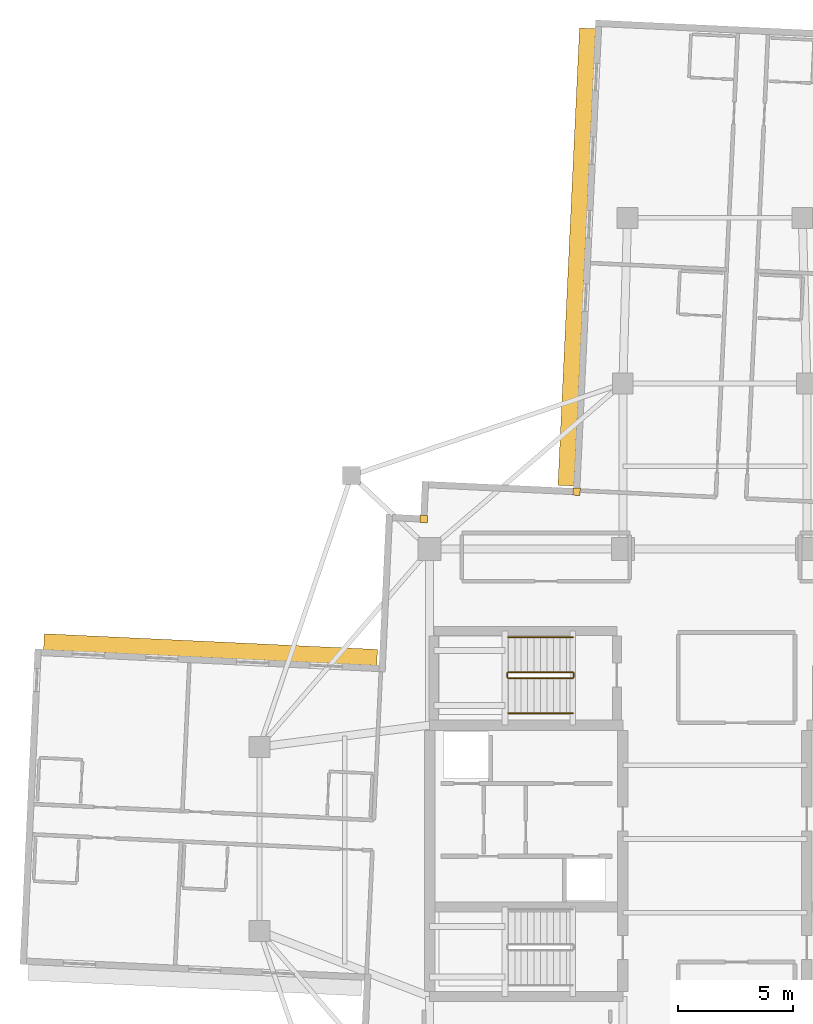
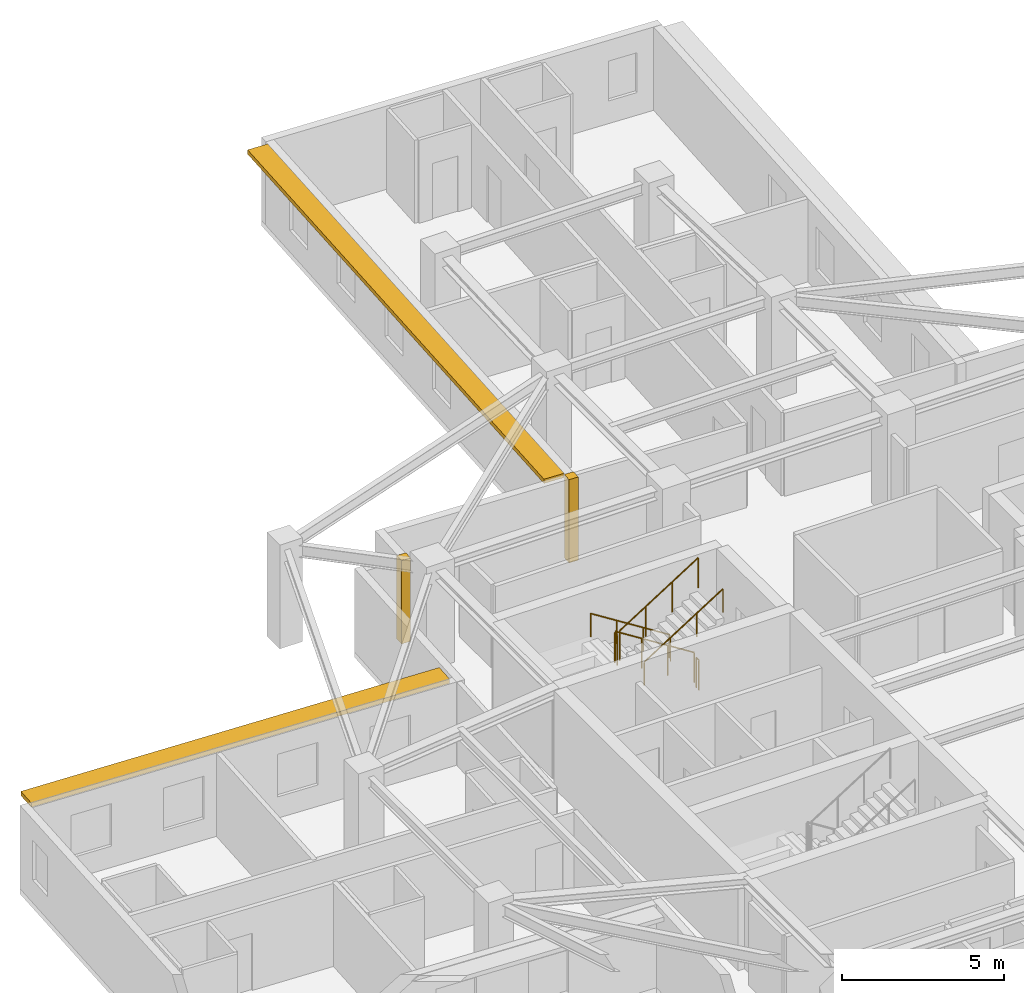
# One storey, part 12 of 13: 6 railings, 2 coverings, 2 shading devices.
"""IFC4 building model written with IfcOpenShell, lengths in metres."""

from ifc_helpers import new_model, si_unit, direction, frame, origin, origin_2d, place, context, subcontext, project, spatial, rectangle, circle, extrude, material, layer, layer_set, type_object, element, save


model = new_model("IFC4")

# Units and contexts
model_context = context("Model", 3, precision=1e-05, world=origin(), true_north=direction((0.0, 1.0)))
body_context = subcontext(model_context, "Body", "Model", "MODEL_VIEW")
ifc_project = project(units=[si_unit("LENGTHUNIT", "METRE"), si_unit("AREAUNIT", "SQUARE_METRE"), si_unit("VOLUMEUNIT", "CUBIC_METRE"), si_unit("PLANEANGLEUNIT", "RADIAN"), si_unit("MASSUNIT", "GRAM", prefix="KILO")], contexts=[model_context])

# Site, building, storey
site_placement = place(None, origin())
site = spatial("IfcSite", under=ifc_project, at=site_placement, CompositionType="ELEMENT")
building_placement = place(site_placement, origin())
building = spatial("IfcBuilding", under=site, at=building_placement, Name="Qingluan Cross Belvedere", CompositionType="ELEMENT")
storey_placement = place(building_placement, frame((0.0, 0.0, 236.39990234375)))
storey = spatial("IfcBuildingStorey", under=building, at=storey_placement, Name="L59", CompositionType="ELEMENT", Elevation=236.39990234375)

# Coverings
ifc_material_1 = material(Name="Precast concrete C45", Category="concrete")
ifc_layer_1 = layer(ifc_material_1, 0.1201171875, Name="ConcreteSpandrelCladding_120")
ifc_layer_set_1 = layer_set([ifc_layer_1], Name="Precast concrete C45")
covering_type = type_object("IfcCoveringType", Name="ConcreteSpandrelCladding_120", PredefinedType="CLADDING", material=ifc_layer_set_1)
for number, where, z_axis, x_axis, name in (
    (1, (-12.65869140625, 13.911865234375, 0.000244140625), (0.0, 0.0, 1.0), (0.998889874962, -0.04710645071, 0.0), "Corner closure L59-NW1"),
    (2, (-6.015380859375, 15.10009765625, 0.000244140625), (0.0, 0.0, 1.0), (0.998889874962, -0.04710645071, 0.0), "Corner closure L59-NW2"),
):
    element("IfcCovering", number, at=place(storey_placement, frame(where, z_axis=z_axis, x_axis=x_axis)), inside=storey, type_object=covering_type, Name=name, PredefinedType="CLADDING", context=body_context, shape_type="SweptSolid", body=[
        extrude(rectangle(XDim=0.320068359375, YDim=0.320068359375, at=origin_2d()), origin(), (0.0, 0.0, 1.0), 3.1298828125),
    ])

# Shading devices
ifc_material_2 = material(Name="Precast concrete C45", Category="concrete")
ifc_layer_2 = layer(ifc_material_2, 0.139892578125, Name="ConcreteSunshadeBand_700")
ifc_layer_set_2 = layer_set([ifc_layer_2], Name="Precast concrete C45")
shading_device_type = type_object("IfcShadingDeviceType", Name="ConcreteSunshadeBand_700", PredefinedType="USERDEFINED", material=ifc_layer_set_2)
shading_device_1_placement = place(storey_placement, frame((-6.0048828125, 25.301025390625, 2.9501953125), z_axis=(0.0, 0.0, 1.0), x_axis=(-0.04710941444, -0.998889735192, 0.0)))
element("IfcShadingDevice", 3, at=shading_device_1_placement, inside=storey, type_object=shading_device_type, Name="Concrete SUNSHADE L59-NB", ObjectType="SUNSHADE", PredefinedType="USERDEFINED", context=body_context, shape_type="SweptSolid", body=[
    extrude(rectangle(XDim=19.89990234375, YDim=0.699951171875, at=origin_2d()), origin(), (0.0, 0.0, 1.0), 0.159912109375),
])
shading_device_2_placement = place(storey_placement, frame((-21.926513671875, 8.23193359375, 2.9501953125), z_axis=(0.0, 0.0, 1.0), x_axis=(-0.998889750114, 0.047109098032, 0.0)))
element("IfcShadingDevice", 4, at=shading_device_2_placement, inside=storey, type_object=shading_device_type, Name="Concrete SUNSHADE L59-WA", ObjectType="SUNSHADE", PredefinedType="USERDEFINED", context=body_context, shape_type="SweptSolid", body=[
    extrude(rectangle(XDim=14.5, YDim=0.699951171875, at=origin_2d()), origin(), (0.0, 0.0, 1.0), 0.159912109375),
])

# Railings
ifc_material_3 = material(Name="Brushed stainless steel tubular handrail", Category="steel")
railing_type_1 = type_object("IfcRailingType", Name="StairPitchHandrail_900", PredefinedType="HANDRAIL", material=ifc_material_3)
railing_1_placement = place(storey_placement, frame((-6.179931640625, 8.77001953125, 0.177490234375)))
element("IfcRailing", 5, at=railing_1_placement, inside=storey, type_object=railing_type_1, Name="L59 ST3 stair handrail 1", PredefinedType="HANDRAIL", context=body_context, shape_type="SweptSolid", body=[
    extrude(circle(Radius=0.02392578125, at=origin_2d()), frame((0.0, 0.0, 0.8759765625), z_axis=(-0.844908973607, 0.0, 0.534910110503), x_axis=(0.0, -1.0, 0.0)), (0.0, 0.0, 1.0), 3.31396484375),
    extrude(circle(Radius=0.02099609375, at=origin_2d()), origin(), (0.0, 0.0, 1.0), 0.851806640625),
    extrude(circle(Radius=0.02099609375, at=origin_2d()), frame((-0.933349609375, 0.0, 0.5908203125)), (0.0, 0.0, 1.0), 0.851806640625),
    extrude(circle(Radius=0.02099609375, at=origin_2d()), frame((-1.86669921875, 0.0, 1.181884765625)), (0.0, 0.0, 1.0), 0.851806640625),
    extrude(circle(Radius=0.02099609375, at=origin_2d()), frame((-2.800048828125, 0.0, 1.772705078125)), (0.0, 0.0, 1.0), 0.851806640625),
])
railing_2_placement = place(storey_placement, frame((-8.97998046875, 5.469970703125, 2.12744140625)))
element("IfcRailing", 6, at=railing_2_placement, inside=storey, type_object=railing_type_1, Name="L59 ST3 stair handrail 2", PredefinedType="HANDRAIL", context=body_context, shape_type="SweptSolid", body=[
    extrude(circle(Radius=0.02392578125, at=origin_2d()), frame((0.0, 0.0, 0.8759765625), z_axis=(0.844908973607, 0.0, 0.534910110503), x_axis=(0.0, 1.0, 0.0)), (0.0, 0.0, 1.0), 3.31396484375),
    extrude(circle(Radius=0.02099609375, at=origin_2d()), origin(), (0.0, 0.0, 1.0), 0.851806640625),
    extrude(circle(Radius=0.02099609375, at=origin_2d()), frame((0.933349609375, 0.0, 0.5908203125)), (0.0, 0.0, 1.0), 0.851806640625),
    extrude(circle(Radius=0.02099609375, at=origin_2d()), frame((1.86669921875, 0.0, 1.181884765625)), (0.0, 0.0, 1.0), 0.851806640625),
    extrude(circle(Radius=0.02099609375, at=origin_2d()), frame((2.800048828125, 0.0, 1.772705078125)), (0.0, 0.0, 1.0), 0.851806640625),
])
ifc_material_4 = material(Name="Painted steel stair well guard", Category="steel")
railing_type_2 = type_object("IfcRailingType", Name="StairWellGuard_1150", PredefinedType="BALUSTRADE", material=ifc_material_4)
railing_3_placement = place(storey_placement, frame((-6.179931640625, 7.25, 0.177490234375)))
element("IfcRailing", 7, at=railing_3_placement, inside=storey, type_object=railing_type_2, Name="L59 ST3 stair guard 1", PredefinedType="BALUSTRADE", context=body_context, shape_type="SweptSolid", body=[
    extrude(circle(Radius=0.02392578125, at=origin_2d()), frame((0.0, 0.0, 1.1259765625), z_axis=(-0.844908973607, 0.0, 0.534910110503), x_axis=(0.0, -1.0, 0.0)), (0.0, 0.0, 1.0), 3.31396484375),
    extrude(circle(Radius=0.02099609375, at=origin_2d()), origin(), (0.0, 0.0, 1.0), 1.101806640625),
    extrude(circle(Radius=0.02099609375, at=origin_2d()), frame((-0.933349609375, 0.0, 0.5908203125)), (0.0, 0.0, 1.0), 1.101806640625),
    extrude(circle(Radius=0.02099609375, at=origin_2d()), frame((-1.86669921875, 0.0, 1.181884765625)), (0.0, 0.0, 1.0), 1.101806640625),
    extrude(circle(Radius=0.02099609375, at=origin_2d()), frame((-2.800048828125, 0.0, 1.772705078125)), (0.0, 0.0, 1.0), 1.101806640625),
])
railing_4_placement = place(storey_placement, frame((-9.030029296875, 7.199951171875, 1.9501953125)))
element("IfcRailing", 8, at=railing_4_placement, inside=storey, type_object=railing_type_2, Name="L59 ST3 stair guard 2", PredefinedType="BALUSTRADE", context=body_context, shape_type="SweptSolid", body=[
    extrude(circle(Radius=0.02392578125, at=origin_2d()), frame((0.0, 0.0, 1.1259765625), z_axis=(0.0, -1.0, 0.0), x_axis=(1.0, 0.0, 0.0)), (0.0, 0.0, 1.0), 0.159912109375),
    extrude(circle(Radius=0.02099609375, at=origin_2d()), origin(), (0.0, 0.0, 1.0), 1.101806640625),
    extrude(circle(Radius=0.02099609375, at=origin_2d()), frame((0.0, -0.159912109375, 0.0)), (0.0, 0.0, 1.0), 1.101806640625),
])
railing_5_placement = place(storey_placement, frame((-8.97998046875, 6.989990234375, 2.12744140625)))
element("IfcRailing", 9, at=railing_5_placement, inside=storey, type_object=railing_type_2, Name="L59 ST3 stair guard 3", PredefinedType="BALUSTRADE", context=body_context, shape_type="SweptSolid", body=[
    extrude(circle(Radius=0.02392578125, at=origin_2d()), frame((0.0, 0.0, 1.1259765625), z_axis=(0.844908973607, 0.0, 0.534910110503), x_axis=(0.0, 1.0, 0.0)), (0.0, 0.0, 1.0), 3.31396484375),
    extrude(circle(Radius=0.02099609375, at=origin_2d()), origin(), (0.0, 0.0, 1.0), 1.101806640625),
    extrude(circle(Radius=0.02099609375, at=origin_2d()), frame((0.933349609375, 0.0, 0.5908203125)), (0.0, 0.0, 1.0), 1.101806640625),
    extrude(circle(Radius=0.02099609375, at=origin_2d()), frame((1.86669921875, 0.0, 1.181884765625)), (0.0, 0.0, 1.0), 1.101806640625),
    extrude(circle(Radius=0.02099609375, at=origin_2d()), frame((2.800048828125, 0.0, 1.772705078125)), (0.0, 0.0, 1.0), 1.101806640625),
])
railing_6_placement = place(storey_placement, frame((-6.1298828125, 7.199951171875, 0.0)))
element("IfcRailing", 10, at=railing_6_placement, inside=storey, type_object=railing_type_2, Name="L59 ST3 stair guard 4", PredefinedType="BALUSTRADE", context=body_context, shape_type="SweptSolid", body=[
    extrude(circle(Radius=0.02392578125, at=origin_2d()), frame((0.0, 0.0, 1.1259765625), z_axis=(0.0, -1.0, 0.0), x_axis=(1.0, 0.0, 0.0)), (0.0, 0.0, 1.0), 0.159912109375),
    extrude(circle(Radius=0.02099609375, at=origin_2d()), origin(), (0.0, 0.0, 1.0), 1.101806640625),
    extrude(circle(Radius=0.02099609375, at=origin_2d()), frame((0.0, -0.159912109375, 0.0)), (0.0, 0.0, 1.0), 1.101806640625),
])

save(model, "model.ifc")
